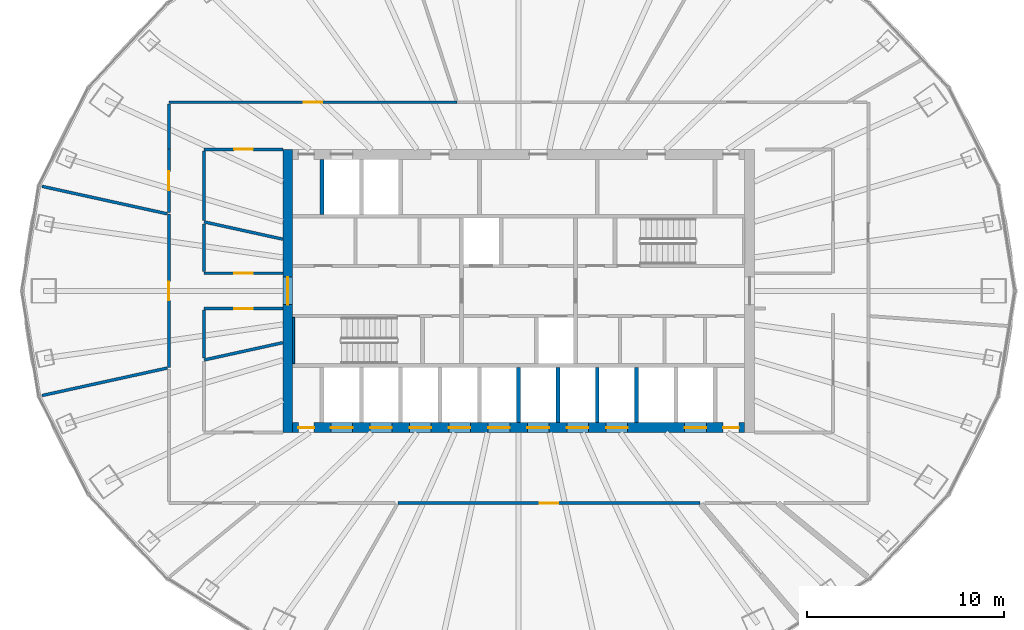
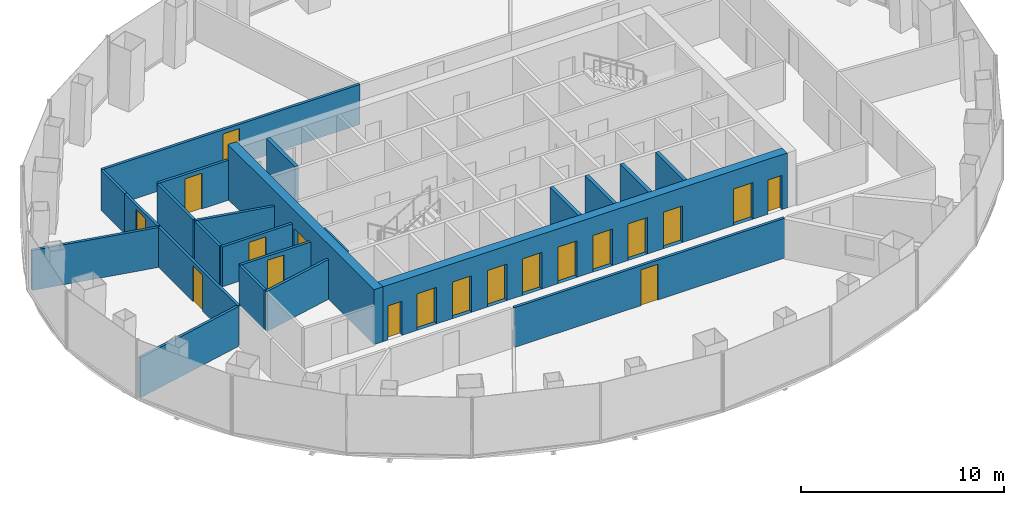
# One storey, part 8 of 11: 23 walls, 19 doors, 19 openings.
"""IFC4 building model written with IfcOpenShell, lengths in metres."""

import ifcopenshell
import ifcopenshell.guid

model = None  # the IFC model being written
_history = None  # IfcOwnerHistory: only IFC2X3 demands one
_inside = {}  # id of a spatial element -> (the spatial element, [elements in it])
_under = {}  # id of a project, library or spatial element -> (it, [spatial elements below it])
_declared = {}  # id of a project -> (the project, [libraries it declares])
_typed = {}  # id of a type object -> (the type object, [elements of that type])
_made_of = {}  # id of a material, layer set ... -> (it, [elements and type objects made of it])


def new_model(schema):
    """Start an empty IFC model of exactly this schema.

    Asked for "IFC4X3", IfcOpenShell would pick the latest addendum, in which some entities
    have other attributes; the version numbers below select the first issue.
    IFC2X3 requires an IfcOwnerHistory on every rooted entity: one is made here for all.
    """
    global model, _history
    if schema == "IFC4X3":
        model = ifcopenshell.file(schema_version=(4, 3, 0, 0))
    else:
        model = ifcopenshell.file(schema=schema)
    _inside.clear()
    _under.clear()
    _declared.clear()
    _typed.clear()
    _made_of.clear()
    _history = None
    if model.schema == "IFC2X3":
        org = make("IfcOrganization", Name="unknown")
        user = make(
            "IfcPersonAndOrganization",
            ThePerson=make("IfcPerson", FamilyName="unknown"),
            TheOrganization=org,
        )
        app = make(
            "IfcApplication",
            ApplicationDeveloper=org,
            Version="unknown",
            ApplicationFullName="unknown",
            ApplicationIdentifier="unknown",
        )
        _history = make(
            "IfcOwnerHistory",
            OwningUser=user,
            OwningApplication=app,
            ChangeAction="ADDED",
            CreationDate=0,
        )
    return model


def make(cls, **values):
    """One entity of the class cls with the attributes given. An attribute that is None is left unset."""
    return model.create_entity(
        cls, **{name: value for name, value in values.items() if value is not None}
    )


def rooted(cls, **values):
    """An entity with a GlobalId (a new one), such as an element, a storey or a relation."""
    return make(cls, GlobalId=ifcopenshell.guid.new(), OwnerHistory=_history, **values)


def si_unit(unit_type, name, prefix=None):
    """IfcSIUnit, for example si_unit("LENGTHUNIT", "METRE", prefix="MILLI")."""
    return make("IfcSIUnit", UnitType=unit_type, Prefix=prefix, Name=name)


def assignment(units):
    """IfcUnitAssignment: the units of a project."""
    return None if units is None else make("IfcUnitAssignment", Units=units)


def point(xyz):
    """IfcCartesianPoint."""
    return None if xyz is None else make("IfcCartesianPoint", Coordinates=xyz)


def direction(xyz):
    """IfcDirection."""
    return None if xyz is None else make("IfcDirection", DirectionRatios=xyz)


def frame(location, z_axis=None, x_axis=None):
    """IfcAxis2Placement3D, a coordinate frame: its origin and axes. An axis left out is left unset."""
    return make(
        "IfcAxis2Placement3D",
        Location=point(location),
        Axis=direction(z_axis),
        RefDirection=direction(x_axis),
    )


def frame_2d(location, x_axis=None):
    """IfcAxis2Placement2D, a coordinate frame in the plane: its origin and x axis."""
    return make(
        "IfcAxis2Placement2D", Location=point(location), RefDirection=direction(x_axis)
    )


def origin():
    """The frame at (0, 0, 0) with its axes left unset."""
    return frame((0.0, 0.0, 0.0))


def place(relative_to, where):
    """IfcLocalPlacement: puts the frame where relative to a parent placement (None: the world)."""
    return make(
        "IfcLocalPlacement", PlacementRelTo=relative_to, RelativePlacement=where
    )


def context(
    kind, dimensions, precision=None, world=None, true_north=None, identifier=None
):
    """IfcGeometricRepresentationContext, for example the 3D "Model" context."""
    return make(
        "IfcGeometricRepresentationContext",
        ContextIdentifier=identifier,
        ContextType=kind,
        CoordinateSpaceDimension=dimensions,
        Precision=precision,
        WorldCoordinateSystem=world,
        TrueNorth=true_north,
    )


def subcontext(parent, identifier, kind, view, scale=None):
    """IfcGeometricRepresentationSubContext, for example "Body" below "Model"."""
    return make(
        "IfcGeometricRepresentationSubContext",
        ContextIdentifier=identifier,
        ContextType=kind,
        ParentContext=parent,
        TargetScale=scale,
        TargetView=view,
    )


def project(units=None, contexts=None):
    """IfcProject with its units and contexts."""
    return rooted(
        "IfcProject",
        Name="project",
        RepresentationContexts=contexts,
        UnitsInContext=assignment(units),
    )


def spatial(cls, under=None, at=None, **own):
    """A site, building, storey or space (cls), placed at a placement, below another one or the project."""
    s = rooted(cls, ObjectPlacement=at, **own)
    if under is not None:
        _under.setdefault(under.id(), (under, []))[1].append(s)
    return s


def profile(cls, at=None, kind="AREA", **sizes):
    """A parametric profile (cls). Its sizes go by their IFC names, for example OverallWidth=200.0."""
    return make(cls, ProfileType=kind, Position=at, **sizes)


def rectangle(**sizes):
    """IfcRectangleProfileDef."""
    return profile("IfcRectangleProfileDef", **sizes)


def extrude(swept, where, along, depth):
    """IfcExtrudedAreaSolid: the profile swept, set in the frame where, extruded along a direction by depth."""
    return make(
        "IfcExtrudedAreaSolid",
        SweptArea=swept,
        Position=where,
        ExtrudedDirection=direction(along),
        Depth=depth,
    )


def shape(context_of_items, identifier, shape_type, items):
    """IfcShapeRepresentation: the items that make up one representation, for example the "Body"."""
    return make(
        "IfcShapeRepresentation",
        ContextOfItems=context_of_items,
        RepresentationIdentifier=identifier,
        RepresentationType=shape_type,
        Items=items,
    )


def material(Name=None, Category=None):
    """IfcMaterial."""
    return make("IfcMaterial", Name=Name, Category=Category)


def layer(
    of_material, thickness, ventilated=None, Name=None, Category=None, Priority=None
):
    """IfcMaterialLayer: one layer of a wall or slab, of a material (None: an air gap)."""
    return make(
        "IfcMaterialLayer",
        Material=of_material,
        LayerThickness=thickness,
        IsVentilated=ventilated,
        Name=Name,
        Category=Category,
        Priority=Priority,
    )


def layer_set(layers, Name=None):
    """IfcMaterialLayerSet."""
    return make("IfcMaterialLayerSet", MaterialLayers=layers, LayerSetName=Name)


def made_of(thing, what):
    """Note that an element or type object is made of a material, layer set ...; save() writes the relation."""
    if what is not None:
        _made_of.setdefault(what.id(), (what, []))[1].append(thing)
    return thing


def type_object(cls, material=None, **own):
    """A type object (cls), such as IfcWallType, which elements share."""
    return made_of(rooted(cls, **own), material)


def element(
    cls,
    number,
    at=None,
    inside=None,
    cuts=None,
    type_object=None,
    material=None,
    context=None,
    identifier="Body",
    shape_type=None,
    held_by="IfcProductDefinitionShape",
    body=None,
    shapes=None,
    **own,
):
    """One element of the class cls, such as IfcWall. Its Tag is "e" and its number.

    at: its placement. inside: the storey or other place that contains it. cuts: it is an
    opening in that element (IfcRelVoidsElement). A single representation is given by context,
    identifier, shape_type and body (its items); several are given by shapes. held_by: the class
    of the entity that holds the representations. save() writes the other relations.
    """
    e = rooted(cls, Tag="e%d" % number, ObjectPlacement=at, **own)
    if body is not None:
        shapes = [shape(context, identifier, shape_type, body)]
    if shapes is not None:
        e.Representation = make(held_by, Representations=shapes)
    if inside is not None:
        _inside.setdefault(inside.id(), (inside, []))[1].append(e)
    if cuts is not None:
        rooted(
            "IfcRelVoidsElement", RelatingBuildingElement=cuts, RelatedOpeningElement=e
        )
    if type_object is not None:
        _typed.setdefault(type_object.id(), (type_object, []))[1].append(e)
    return made_of(e, material)


def fill(opening, filler):
    """IfcRelFillsElement: the door or window that sits in an opening."""
    return rooted(
        "IfcRelFillsElement",
        RelatingOpeningElement=opening,
        RelatedBuildingElement=filler,
    )


def aggregate(whole, parts):
    """IfcRelAggregates: a whole, such as a stair, and the parts it consists of."""
    return rooted("IfcRelAggregates", RelatingObject=whole, RelatedObjects=parts)


def save(model, path):
    """Write the relations noted so far, then the file.

    IfcRelAggregates (storeys below a building ...), IfcRelContainedInSpatialStructure (elements
    in a storey), IfcRelDefinesByType, IfcRelAssociatesMaterial and IfcRelDeclares: one each for
    every whole, place, type object, material and project.
    """
    for whole, parts in _under.values():
        aggregate(whole, parts)
    for where, things in _inside.values():
        rooted(
            "IfcRelContainedInSpatialStructure",
            RelatedElements=things,
            RelatingStructure=where,
        )
    for kind, things in _typed.values():
        rooted("IfcRelDefinesByType", RelatedObjects=things, RelatingType=kind)
    for what, things in _made_of.values():
        rooted("IfcRelAssociatesMaterial", RelatedObjects=things, RelatingMaterial=what)
    for by, libraries in _declared.values():
        rooted("IfcRelDeclares", RelatingContext=by, RelatedDefinitions=libraries)
    model.write(path)


model = new_model("IFC4")

# Units and contexts
model_context = context("Model", 3, precision=1e-05, world=origin(), true_north=direction((0.0, 1.0)))
body_context = subcontext(model_context, "Body", "Model", "MODEL_VIEW")
ifc_project = project(units=[si_unit("LENGTHUNIT", "METRE"), si_unit("AREAUNIT", "SQUARE_METRE"), si_unit("VOLUMEUNIT", "CUBIC_METRE"), si_unit("PLANEANGLEUNIT", "RADIAN"), si_unit("MASSUNIT", "GRAM", prefix="KILO")], contexts=[model_context])

# Site, building, storey
site_placement = place(None, origin())
site = spatial("IfcSite", under=ifc_project, at=site_placement, CompositionType="ELEMENT")
building_placement = place(site_placement, origin())
building = spatial("IfcBuilding", under=site, at=building_placement, Name="Siaravel Broadcast Tower", CompositionType="ELEMENT")
storey_placement = place(building_placement, frame((0.0, 0.0, 123.0)))
storey = spatial("IfcBuildingStorey", under=building, at=storey_placement, Name="L29", CompositionType="ELEMENT", Elevation=123.0)

# Wall, opening, door
ifc_material_1 = material(Name="Concrete C60/75", Category="concrete")
ifc_layer_1 = layer(ifc_material_1, 0.5)
ifc_layer_set_1 = layer_set([ifc_layer_1], Name="Concrete C60/75")
wall_type_1 = type_object("IfcWallType", Name="Core wall 500", PredefinedType="SHEAR", material=ifc_layer_set_1)
wall_1_placement = place(storey_placement, frame((-11.75, -7.199951171875, 0.0), z_axis=(0.0, 0.0, 1.0), x_axis=(0.0, 1.0, 0.0)))
wall_1 = element("IfcWall", 1, at=wall_1_placement, inside=storey, type_object=wall_type_1, Name="L29 core wall OW", PredefinedType="SHEAR", context=body_context, shape_type="SweptSolid", body=[
    extrude(rectangle(XDim=14.39990234375, YDim=0.5, at=frame_2d((7.199951171875, 0.0))), origin(), (0.0, 0.0, 1.0), 3.300048828125),
])
opening_1_placement = place(wall_1_placement, frame((6.5, 0.0, 0.0)))
opening_1 = element("IfcOpeningElement", 2, at=opening_1_placement, cuts=wall_1, Name="Opening L29-DX-W", PredefinedType="OPENING", context=body_context, shape_type="SweptSolid", body=[
    extrude(rectangle(XDim=1.39990234375, YDim=2.199951171875, at=frame_2d((0.699951171875, 1.10009765625))), frame((0.0, 0.260009765625, 0.0), z_axis=(0.0, -1.0, 0.0), x_axis=(1.0, 0.0, 0.0)), (0.0, 0.0, 1.0), 0.52001953125),
])
ifc_material_2 = material(Name="Steel", Category="steel")
door_type_1 = type_object("IfcDoorType", Name="Core exit door 1400", OperationType="DOUBLE_DOOR_SINGLE_SWING", PredefinedType="DOOR", material=ifc_material_2)
door_1_placement = place(opening_1_placement, origin())
door_1 = element("IfcDoor", 3, at=door_1_placement, inside=storey, type_object=door_type_1, Name="L29 door DX-W", OperationType="DOUBLE_DOOR_SINGLE_SWING", OverallHeight=2.199951171875, OverallWidth=1.39990234375, PredefinedType="DOOR", context=body_context, shape_type="SweptSolid", body=[
    extrude(rectangle(XDim=1.39990234375, YDim=2.199951171875, at=frame_2d((0.699951171875, 1.10009765625))), frame((0.0, 0.02490234375, 0.0), z_axis=(0.0, -1.0, 0.0), x_axis=(1.0, 0.0, 0.0)), (0.0, 0.0, 1.0), 0.050048828125),
])
fill(opening_1, door_1)

# Wall, openings, doors
wall_2_placement = place(storey_placement, frame((-11.5, -6.949951171875, 0.0), z_axis=(0.0, 0.0, 1.0), x_axis=(1.0, 0.0, 0.0)))
wall_2 = element("IfcWall", 4, at=wall_2_placement, inside=storey, type_object=wall_type_1, Name="L29 core wall OS", PredefinedType="SHEAR", context=body_context, shape_type="SweptSolid", body=[
    extrude(rectangle(XDim=23.0, YDim=0.5, at=frame_2d((11.5, 0.0))), origin(), (0.0, 0.0, 1.0), 3.300048828125),
])
opening_2_placement = place(wall_2_placement, frame((1.949951171875, 0.0, 0.0)))
opening_2 = element("IfcOpeningElement", 5, at=opening_2_placement, cuts=wall_2, Name="Opening LD-LP1-L29", PredefinedType="OPENING", context=body_context, shape_type="SweptSolid", body=[
    extrude(rectangle(XDim=1.10009765625, YDim=2.199951171875, at=frame_2d((0.550048828125, 1.10009765625))), frame((0.0, 0.260009765625, 0.0), z_axis=(0.0, -1.0, 0.0), x_axis=(1.0, 0.0, 0.0)), (0.0, 0.0, 1.0), 0.52001953125),
])
opening_3_placement = place(wall_2_placement, frame((3.949951171875, 0.0, 0.0)))
opening_3 = element("IfcOpeningElement", 6, at=opening_3_placement, cuts=wall_2, Name="Opening LD-LP2-L29", PredefinedType="OPENING", context=body_context, shape_type="SweptSolid", body=[
    extrude(rectangle(XDim=1.10009765625, YDim=2.199951171875, at=frame_2d((0.550048828125, 1.10009765625))), frame((0.0, 0.260009765625, 0.0), z_axis=(0.0, -1.0, 0.0), x_axis=(1.0, 0.0, 0.0)), (0.0, 0.0, 1.0), 0.52001953125),
])
opening_4_placement = place(wall_2_placement, frame((5.949951171875, 0.0, 0.0)))
opening_4 = element("IfcOpeningElement", 7, at=opening_4_placement, cuts=wall_2, Name="Opening LD-LP3-L29", PredefinedType="OPENING", context=body_context, shape_type="SweptSolid", body=[
    extrude(rectangle(XDim=1.10009765625, YDim=2.199951171875, at=frame_2d((0.550048828125, 1.10009765625))), frame((0.0, 0.260009765625, 0.0), z_axis=(0.0, -1.0, 0.0), x_axis=(1.0, 0.0, 0.0)), (0.0, 0.0, 1.0), 0.52001953125),
])
opening_5_placement = place(wall_2_placement, frame((7.949951171875, 0.0, 0.0)))
opening_5 = element("IfcOpeningElement", 8, at=opening_5_placement, cuts=wall_2, Name="Opening LD-LP4-L29", PredefinedType="OPENING", context=body_context, shape_type="SweptSolid", body=[
    extrude(rectangle(XDim=1.10009765625, YDim=2.199951171875, at=frame_2d((0.550048828125, 1.10009765625))), frame((0.0, 0.260009765625, 0.0), z_axis=(0.0, -1.0, 0.0), x_axis=(1.0, 0.0, 0.0)), (0.0, 0.0, 1.0), 0.52001953125),
])
opening_6_placement = place(wall_2_placement, frame((9.949951171875, 0.0, 0.0)))
opening_6 = element("IfcOpeningElement", 9, at=opening_6_placement, cuts=wall_2, Name="Opening LD-LP5-L29", PredefinedType="OPENING", context=body_context, shape_type="SweptSolid", body=[
    extrude(rectangle(XDim=1.10009765625, YDim=2.199951171875, at=frame_2d((0.550048828125, 1.10009765625))), frame((0.0, 0.260009765625, 0.0), z_axis=(0.0, -1.0, 0.0), x_axis=(1.0, 0.0, 0.0)), (0.0, 0.0, 1.0), 0.52001953125),
])
opening_7_placement = place(wall_2_placement, frame((11.949951171875, 0.0, 0.0)))
opening_7 = element("IfcOpeningElement", 10, at=opening_7_placement, cuts=wall_2, Name="Opening LD-LP6-L29", PredefinedType="OPENING", context=body_context, shape_type="SweptSolid", body=[
    extrude(rectangle(XDim=1.10009765625, YDim=2.199951171875, at=frame_2d((0.550048828125, 1.10009765625))), frame((0.0, 0.260009765625, 0.0), z_axis=(0.0, -1.0, 0.0), x_axis=(1.0, 0.0, 0.0)), (0.0, 0.0, 1.0), 0.52001953125),
])
opening_8_placement = place(wall_2_placement, frame((13.949951171875, 0.0, 0.0)))
opening_8 = element("IfcOpeningElement", 11, at=opening_8_placement, cuts=wall_2, Name="Opening LD-LP7-L29", PredefinedType="OPENING", context=body_context, shape_type="SweptSolid", body=[
    extrude(rectangle(XDim=1.10009765625, YDim=2.199951171875, at=frame_2d((0.550048828125, 1.10009765625))), frame((0.0, 0.260009765625, 0.0), z_axis=(0.0, -1.0, 0.0), x_axis=(1.0, 0.0, 0.0)), (0.0, 0.0, 1.0), 0.52001953125),
])
opening_9_placement = place(wall_2_placement, frame((15.949951171875, 0.0, 0.0)))
opening_9 = element("IfcOpeningElement", 12, at=opening_9_placement, cuts=wall_2, Name="Opening LD-LP8-L29", PredefinedType="OPENING", context=body_context, shape_type="SweptSolid", body=[
    extrude(rectangle(XDim=1.10009765625, YDim=2.199951171875, at=frame_2d((0.550048828125, 1.10009765625))), frame((0.0, 0.260009765625, 0.0), z_axis=(0.0, -1.0, 0.0), x_axis=(1.0, 0.0, 0.0)), (0.0, 0.0, 1.0), 0.52001953125),
])
opening_10_placement = place(wall_2_placement, frame((19.949951171875, 0.0, 0.0)))
opening_10 = element("IfcOpeningElement", 13, at=opening_10_placement, cuts=wall_2, Name="Opening LD-SV1-L29", PredefinedType="OPENING", context=body_context, shape_type="SweptSolid", body=[
    extrude(rectangle(XDim=1.10009765625, YDim=2.199951171875, at=frame_2d((0.550048828125, 1.10009765625))), frame((0.0, 0.260009765625, 0.0), z_axis=(0.0, -1.0, 0.0), x_axis=(1.0, 0.0, 0.0)), (0.0, 0.0, 1.0), 0.52001953125),
])
opening_11_placement = place(wall_2_placement, frame((0.300048828125, 0.0, 0.0)))
opening_11 = element("IfcOpeningElement", 14, at=opening_11_placement, cuts=wall_2, Name="Opening L29-DRSW", PredefinedType="OPENING", context=body_context, shape_type="SweptSolid", body=[
    extrude(rectangle(XDim=0.800048828125, YDim=2.050048828125, at=frame_2d((0.39990234375, 1.02490234375))), frame((0.0, 0.260009765625, 0.0), z_axis=(0.0, -1.0, 0.0), x_axis=(1.0, 0.0, 0.0)), (0.0, 0.0, 1.0), 0.52001953125),
])
opening_12_placement = place(wall_2_placement, frame((21.89990234375, 0.0, 0.0)))
opening_12 = element("IfcOpeningElement", 15, at=opening_12_placement, cuts=wall_2, Name="Opening L29-DRSE", PredefinedType="OPENING", context=body_context, shape_type="SweptSolid", body=[
    extrude(rectangle(XDim=0.800048828125, YDim=2.050048828125, at=frame_2d((0.39990234375, 1.02490234375))), frame((0.0, 0.260009765625, 0.0), z_axis=(0.0, -1.0, 0.0), x_axis=(1.0, 0.0, 0.0)), (0.0, 0.0, 1.0), 0.52001953125),
])
ifc_material_3 = material(Name="Stainless steel 316L", Category="steel")
door_type_2 = type_object("IfcDoorType", Name="Lift landing door 1100", OperationType="DOUBLE_DOOR_SLIDING", PredefinedType="DOOR", material=ifc_material_3)
door_2_placement = place(opening_2_placement, origin())
door_2 = element("IfcDoor", 16, at=door_2_placement, inside=storey, type_object=door_type_2, Name="Landing door LP1 L29", OperationType="DOUBLE_DOOR_SLIDING", OverallHeight=2.199951171875, OverallWidth=1.10009765625, PredefinedType="DOOR", context=body_context, shape_type="SweptSolid", body=[
    extrude(rectangle(XDim=1.10009765625, YDim=2.199951171875, at=frame_2d((0.550048828125, 1.10009765625))), frame((0.0, 0.02490234375, 0.0), z_axis=(0.0, -1.0, 0.0), x_axis=(1.0, 0.0, 0.0)), (0.0, 0.0, 1.0), 0.050048828125),
])
fill(opening_2, door_2)
door_3_placement = place(opening_3_placement, origin())
door_3 = element("IfcDoor", 17, at=door_3_placement, inside=storey, type_object=door_type_2, Name="Landing door LP2 L29", OperationType="DOUBLE_DOOR_SLIDING", OverallHeight=2.199951171875, OverallWidth=1.10009765625, PredefinedType="DOOR", context=body_context, shape_type="SweptSolid", body=[
    extrude(rectangle(XDim=1.10009765625, YDim=2.199951171875, at=frame_2d((0.550048828125, 1.10009765625))), frame((0.0, 0.02490234375, 0.0), z_axis=(0.0, -1.0, 0.0), x_axis=(1.0, 0.0, 0.0)), (0.0, 0.0, 1.0), 0.050048828125),
])
fill(opening_3, door_3)
door_4_placement = place(opening_4_placement, origin())
door_4 = element("IfcDoor", 18, at=door_4_placement, inside=storey, type_object=door_type_2, Name="Landing door LP3 L29", OperationType="DOUBLE_DOOR_SLIDING", OverallHeight=2.199951171875, OverallWidth=1.10009765625, PredefinedType="DOOR", context=body_context, shape_type="SweptSolid", body=[
    extrude(rectangle(XDim=1.10009765625, YDim=2.199951171875, at=frame_2d((0.550048828125, 1.10009765625))), frame((0.0, 0.02490234375, 0.0), z_axis=(0.0, -1.0, 0.0), x_axis=(1.0, 0.0, 0.0)), (0.0, 0.0, 1.0), 0.050048828125),
])
fill(opening_4, door_4)
door_5_placement = place(opening_5_placement, origin())
door_5 = element("IfcDoor", 19, at=door_5_placement, inside=storey, type_object=door_type_2, Name="Landing door LP4 L29", OperationType="DOUBLE_DOOR_SLIDING", OverallHeight=2.199951171875, OverallWidth=1.10009765625, PredefinedType="DOOR", context=body_context, shape_type="SweptSolid", body=[
    extrude(rectangle(XDim=1.10009765625, YDim=2.199951171875, at=frame_2d((0.550048828125, 1.10009765625))), frame((0.0, 0.02490234375, 0.0), z_axis=(0.0, -1.0, 0.0), x_axis=(1.0, 0.0, 0.0)), (0.0, 0.0, 1.0), 0.050048828125),
])
fill(opening_5, door_5)
door_6_placement = place(opening_6_placement, origin())
door_6 = element("IfcDoor", 20, at=door_6_placement, inside=storey, type_object=door_type_2, Name="Landing door LP5 L29", OperationType="DOUBLE_DOOR_SLIDING", OverallHeight=2.199951171875, OverallWidth=1.10009765625, PredefinedType="DOOR", context=body_context, shape_type="SweptSolid", body=[
    extrude(rectangle(XDim=1.10009765625, YDim=2.199951171875, at=frame_2d((0.550048828125, 1.10009765625))), frame((0.0, 0.02490234375, 0.0), z_axis=(0.0, -1.0, 0.0), x_axis=(1.0, 0.0, 0.0)), (0.0, 0.0, 1.0), 0.050048828125),
])
fill(opening_6, door_6)
door_7_placement = place(opening_7_placement, origin())
door_7 = element("IfcDoor", 21, at=door_7_placement, inside=storey, type_object=door_type_2, Name="Landing door LP6 L29", OperationType="DOUBLE_DOOR_SLIDING", OverallHeight=2.199951171875, OverallWidth=1.10009765625, PredefinedType="DOOR", context=body_context, shape_type="SweptSolid", body=[
    extrude(rectangle(XDim=1.10009765625, YDim=2.199951171875, at=frame_2d((0.550048828125, 1.10009765625))), frame((0.0, 0.02490234375, 0.0), z_axis=(0.0, -1.0, 0.0), x_axis=(1.0, 0.0, 0.0)), (0.0, 0.0, 1.0), 0.050048828125),
])
fill(opening_7, door_7)
door_8_placement = place(opening_8_placement, origin())
door_8 = element("IfcDoor", 22, at=door_8_placement, inside=storey, type_object=door_type_2, Name="Landing door LP7 L29", OperationType="DOUBLE_DOOR_SLIDING", OverallHeight=2.199951171875, OverallWidth=1.10009765625, PredefinedType="DOOR", context=body_context, shape_type="SweptSolid", body=[
    extrude(rectangle(XDim=1.10009765625, YDim=2.199951171875, at=frame_2d((0.550048828125, 1.10009765625))), frame((0.0, 0.02490234375, 0.0), z_axis=(0.0, -1.0, 0.0), x_axis=(1.0, 0.0, 0.0)), (0.0, 0.0, 1.0), 0.050048828125),
])
fill(opening_8, door_8)
door_9_placement = place(opening_9_placement, origin())
door_9 = element("IfcDoor", 23, at=door_9_placement, inside=storey, type_object=door_type_2, Name="Landing door LP8 L29", OperationType="DOUBLE_DOOR_SLIDING", OverallHeight=2.199951171875, OverallWidth=1.10009765625, PredefinedType="DOOR", context=body_context, shape_type="SweptSolid", body=[
    extrude(rectangle(XDim=1.10009765625, YDim=2.199951171875, at=frame_2d((0.550048828125, 1.10009765625))), frame((0.0, 0.02490234375, 0.0), z_axis=(0.0, -1.0, 0.0), x_axis=(1.0, 0.0, 0.0)), (0.0, 0.0, 1.0), 0.050048828125),
])
fill(opening_9, door_9)
door_type_3 = type_object("IfcDoorType", Name="Riser door 800", OperationType="SINGLE_SWING_LEFT", PredefinedType="DOOR", material=ifc_material_2)
door_10_placement = place(opening_11_placement, origin())
door_10 = element("IfcDoor", 24, at=door_10_placement, inside=storey, type_object=door_type_3, Name="L29 door DRSW", OperationType="SINGLE_SWING_LEFT", OverallHeight=2.050048828125, OverallWidth=0.800048828125, PredefinedType="DOOR", context=body_context, shape_type="SweptSolid", body=[
    extrude(rectangle(XDim=0.800048828125, YDim=2.050048828125, at=frame_2d((0.39990234375, 1.02490234375))), frame((0.0, 0.02490234375, 0.0), z_axis=(0.0, -1.0, 0.0), x_axis=(1.0, 0.0, 0.0)), (0.0, 0.0, 1.0), 0.050048828125),
])
fill(opening_11, door_10)
door_11_placement = place(opening_12_placement, origin())
door_11 = element("IfcDoor", 25, at=door_11_placement, inside=storey, type_object=door_type_3, Name="L29 door DRSE", OperationType="SINGLE_SWING_LEFT", OverallHeight=2.050048828125, OverallWidth=0.800048828125, PredefinedType="DOOR", context=body_context, shape_type="SweptSolid", body=[
    extrude(rectangle(XDim=0.800048828125, YDim=2.050048828125, at=frame_2d((0.39990234375, 1.02490234375))), frame((0.0, 0.02490234375, 0.0), z_axis=(0.0, -1.0, 0.0), x_axis=(1.0, 0.0, 0.0)), (0.0, 0.0, 1.0), 0.050048828125),
])
fill(opening_12, door_11)
door_type_4 = type_object("IfcDoorType", Name="Service lift landing door 1100", OperationType="DOUBLE_DOOR_SLIDING", PredefinedType="DOOR", material=ifc_material_3)
door_12_placement = place(opening_10_placement, origin())
door_12 = element("IfcDoor", 26, at=door_12_placement, inside=storey, type_object=door_type_4, Name="Landing door SV1 L29", OperationType="DOUBLE_DOOR_SLIDING", OverallHeight=2.199951171875, OverallWidth=1.10009765625, PredefinedType="DOOR", context=body_context, shape_type="SweptSolid", body=[
    extrude(rectangle(XDim=1.10009765625, YDim=2.199951171875, at=frame_2d((0.550048828125, 1.10009765625))), frame((0.0, 0.02490234375, 0.0), z_axis=(0.0, -1.0, 0.0), x_axis=(1.0, 0.0, 0.0)), (0.0, 0.0, 1.0), 0.050048828125),
])
fill(opening_10, door_12)

# Wall, opening, door
ifc_material_4 = material(Name="Gypsum board partition", Category="gypsum")
ifc_layer_2 = layer(ifc_material_4, 0.14990234375)
ifc_layer_set_2 = layer_set([ifc_layer_2], Name="Gypsum board partition")
wall_type_2 = type_object("IfcWallType", Name="Corridor wall 150", PredefinedType="PARTITIONING", material=ifc_layer_set_2)
wall_3_placement = place(storey_placement, frame((-6.148193359375, -10.800048828125, 0.0), z_axis=(0.0, 0.0, 1.0), x_axis=(1.0, 0.0, 0.0)))
wall_3 = element("IfcWall", 27, at=wall_3_placement, inside=storey, type_object=wall_type_2, Name="L29 partition 1", PredefinedType="PARTITIONING", context=body_context, shape_type="SweptSolid", body=[
    extrude(rectangle(XDim=15.38037109375, YDim=0.14990234375, at=frame_2d((7.690185546875, 0.0))), origin(), (0.0, 0.0, 1.0), 2.39990234375),
])
opening_13_placement = place(wall_3_placement, frame((7.215087890625, 0.0, 0.0)))
opening_13 = element("IfcOpeningElement", 28, at=opening_13_placement, cuts=wall_3, Name="Opening L29-016", PredefinedType="OPENING", context=body_context, shape_type="SweptSolid", body=[
    extrude(rectangle(XDim=0.949951171875, YDim=2.14990234375, at=frame_2d((0.47509765625, 1.074951171875))), frame((0.0, 0.0849609375, 0.0), z_axis=(0.0, -1.0, 0.0), x_axis=(1.0, 0.0, 0.0)), (0.0, 0.0, 1.0), 0.169921875),
])
ifc_material_5 = material(Name="Timber veneer", Category="wood")
door_type_5 = type_object("IfcDoorType", Name="Office door 950", OperationType="SINGLE_SWING_LEFT", PredefinedType="DOOR", material=ifc_material_5)
door_13_placement = place(opening_13_placement, origin())
door_13 = element("IfcDoor", 29, at=door_13_placement, inside=storey, type_object=door_type_5, Name="L29 door to Design studio", OperationType="SINGLE_SWING_RIGHT", OverallHeight=2.14990234375, OverallWidth=0.949951171875, PredefinedType="DOOR", context=body_context, shape_type="SweptSolid", body=[
    extrude(rectangle(XDim=0.949951171875, YDim=2.14990234375, at=frame_2d((0.47509765625, 1.074951171875))), frame((0.0, 0.02490234375, 0.0), z_axis=(0.0, -1.0, 0.0), x_axis=(1.0, 0.0, 0.0)), (0.0, 0.0, 1.0), 0.050048828125),
])
fill(opening_13, door_13)

wall_4_placement = place(storey_placement, frame((-3.140380859375, 9.60009765625, 0.0), z_axis=(0.0, 0.0, 1.0), x_axis=(-1.0, 0.0, 0.0)))
wall_4 = element("IfcWall", 30, at=wall_4_placement, inside=storey, type_object=wall_type_2, Name="L29 partition 2", PredefinedType="PARTITIONING", context=body_context, shape_type="SweptSolid", body=[
    extrude(rectangle(XDim=14.65966796875, YDim=0.14990234375, at=frame_2d((7.329833984375, 0.0))), origin(), (0.0, 0.0, 1.0), 2.39990234375),
])
opening_14_placement = place(wall_4_placement, frame((6.854736328125, 0.0, 0.0)))
opening_14 = element("IfcOpeningElement", 31, at=opening_14_placement, cuts=wall_4, Name="Opening L29-008", PredefinedType="OPENING", context=body_context, shape_type="SweptSolid", body=[
    extrude(rectangle(XDim=0.949951171875, YDim=2.14990234375, at=frame_2d((0.47509765625, 1.074951171875))), frame((0.0, 0.0849609375, 0.0), z_axis=(0.0, -1.0, 0.0), x_axis=(1.0, 0.0, 0.0)), (0.0, 0.0, 1.0), 0.169921875),
])
door_14_placement = place(opening_14_placement, origin())
door_14 = element("IfcDoor", 32, at=door_14_placement, inside=storey, type_object=door_type_5, Name="L29 door to Design studio", OperationType="SINGLE_SWING_RIGHT", OverallHeight=2.14990234375, OverallWidth=0.949951171875, PredefinedType="DOOR", context=body_context, shape_type="SweptSolid", body=[
    extrude(rectangle(XDim=0.949951171875, YDim=2.14990234375, at=frame_2d((0.47509765625, 1.074951171875))), frame((0.0, 0.02490234375, 0.0), z_axis=(0.0, -1.0, 0.0), x_axis=(1.0, 0.0, 0.0)), (0.0, 0.0, 1.0), 0.050048828125),
])
fill(opening_14, door_14)

wall_5_placement = place(storey_placement, frame((-17.800048828125, 3.90673828125, 0.0), z_axis=(0.0, 0.0, 1.0), x_axis=(0.0, -1.0, 0.0)))
wall_5 = element("IfcWall", 33, at=wall_5_placement, inside=storey, type_object=wall_type_2, Name="L29 partition 10", PredefinedType="PARTITIONING", context=body_context, shape_type="SweptSolid", body=[
    extrude(rectangle(XDim=7.8134765625, YDim=0.14990234375, at=frame_2d((3.90673828125, 0.0))), origin(), (0.0, 0.0, 1.0), 2.39990234375),
])
opening_15_placement = place(wall_5_placement, frame((3.431640625, 0.0, 0.0)))
opening_15 = element("IfcOpeningElement", 34, at=opening_15_placement, cuts=wall_5, Name="Opening L29-010", PredefinedType="OPENING", context=body_context, shape_type="SweptSolid", body=[
    extrude(rectangle(XDim=0.949951171875, YDim=2.14990234375, at=frame_2d((0.47509765625, 1.074951171875))), frame((0.0, 0.0849609375, 0.0), z_axis=(0.0, -1.0, 0.0), x_axis=(1.0, 0.0, 0.0)), (0.0, 0.0, 1.0), 0.169921875),
])
door_15_placement = place(opening_15_placement, origin())
door_15 = element("IfcDoor", 35, at=door_15_placement, inside=storey, type_object=door_type_5, Name="L29 door to Design studio", OperationType="SINGLE_SWING_RIGHT", OverallHeight=2.14990234375, OverallWidth=0.949951171875, PredefinedType="DOOR", context=body_context, shape_type="SweptSolid", body=[
    extrude(rectangle(XDim=0.949951171875, YDim=2.14990234375, at=frame_2d((0.47509765625, 1.074951171875))), frame((0.0, 0.02490234375, 0.0), z_axis=(0.0, -1.0, 0.0), x_axis=(1.0, 0.0, 0.0)), (0.0, 0.0, 1.0), 0.050048828125),
])
fill(opening_15, door_15)

wall_6_placement = place(storey_placement, frame((-16.0, -0.89990234375, 0.0), z_axis=(0.0, 0.0, 1.0), x_axis=(1.0, 0.0, 0.0)))
wall_6 = element("IfcWall", 36, at=wall_6_placement, inside=storey, type_object=wall_type_2, Name="L29 partition 25", PredefinedType="PARTITIONING", context=body_context, shape_type="SweptSolid", body=[
    extrude(rectangle(XDim=4.0, YDim=0.14990234375, at=frame_2d((2.0, 0.0))), origin(), (0.0, 0.0, 1.0), 2.39990234375),
])
opening_16_placement = place(wall_6_placement, frame((1.52490234375, 0.0, 0.0)))
opening_16 = element("IfcOpeningElement", 37, at=opening_16_placement, cuts=wall_6, Name="Opening L29-011", PredefinedType="OPENING", context=body_context, shape_type="SweptSolid", body=[
    extrude(rectangle(XDim=0.949951171875, YDim=2.14990234375, at=frame_2d((0.47509765625, 1.074951171875))), frame((0.0, 0.0849609375, 0.0), z_axis=(0.0, -1.0, 0.0), x_axis=(1.0, 0.0, 0.0)), (0.0, 0.0, 1.0), 0.169921875),
])
door_16_placement = place(opening_16_placement, origin())
door_16 = element("IfcDoor", 38, at=door_16_placement, inside=storey, type_object=door_type_5, Name="L29 door to Design studio", OperationType="SINGLE_SWING_LEFT", OverallHeight=2.14990234375, OverallWidth=0.949951171875, PredefinedType="DOOR", context=body_context, shape_type="SweptSolid", body=[
    extrude(rectangle(XDim=0.949951171875, YDim=2.14990234375, at=frame_2d((0.47509765625, 1.074951171875))), frame((0.0, 0.02490234375, 0.0), z_axis=(0.0, -1.0, 0.0), x_axis=(1.0, 0.0, 0.0)), (0.0, 0.0, 1.0), 0.050048828125),
])
fill(opening_16, door_16)

wall_7_placement = place(storey_placement, frame((-16.0, 7.199951171875, 0.0), z_axis=(0.0, 0.0, 1.0), x_axis=(1.0, 0.0, 0.0)))
wall_7 = element("IfcWall", 39, at=wall_7_placement, inside=storey, type_object=wall_type_2, Name="L29 partition 26", PredefinedType="PARTITIONING", context=body_context, shape_type="SweptSolid", body=[
    extrude(rectangle(XDim=4.0, YDim=0.14990234375, at=frame_2d((2.0, 0.0))), origin(), (0.0, 0.0, 1.0), 2.39990234375),
])
opening_17_placement = place(wall_7_placement, frame((1.52490234375, 0.0, 0.0)))
opening_17 = element("IfcOpeningElement", 40, at=opening_17_placement, cuts=wall_7, Name="Opening L29-007", PredefinedType="OPENING", context=body_context, shape_type="SweptSolid", body=[
    extrude(rectangle(XDim=0.949951171875, YDim=2.14990234375, at=frame_2d((0.47509765625, 1.074951171875))), frame((0.0, 0.0849609375, 0.0), z_axis=(0.0, -1.0, 0.0), x_axis=(1.0, 0.0, 0.0)), (0.0, 0.0, 1.0), 0.169921875),
])
door_17_placement = place(opening_17_placement, origin())
door_17 = element("IfcDoor", 41, at=door_17_placement, inside=storey, type_object=door_type_5, Name="L29 door to Design studio", OperationType="SINGLE_SWING_LEFT", OverallHeight=2.14990234375, OverallWidth=0.949951171875, PredefinedType="DOOR", context=body_context, shape_type="SweptSolid", body=[
    extrude(rectangle(XDim=0.949951171875, YDim=2.14990234375, at=frame_2d((0.47509765625, 1.074951171875))), frame((0.0, 0.02490234375, 0.0), z_axis=(0.0, -1.0, 0.0), x_axis=(1.0, 0.0, 0.0)), (0.0, 0.0, 1.0), 0.050048828125),
])
fill(opening_17, door_17)

wall_8_placement = place(storey_placement, frame((-12.0, 0.89990234375, 0.0), z_axis=(0.0, 0.0, 1.0), x_axis=(-1.0, 0.0, 0.0)))
wall_8 = element("IfcWall", 42, at=wall_8_placement, inside=storey, type_object=wall_type_2, Name="L29 partition 28", PredefinedType="PARTITIONING", context=body_context, shape_type="SweptSolid", body=[
    extrude(rectangle(XDim=4.0, YDim=0.14990234375, at=frame_2d((2.0, 0.0))), origin(), (0.0, 0.0, 1.0), 2.39990234375),
])
opening_18_placement = place(wall_8_placement, frame((1.52490234375, 0.0, 0.0)))
opening_18 = element("IfcOpeningElement", 43, at=opening_18_placement, cuts=wall_8, Name="Opening L29-012", PredefinedType="OPENING", context=body_context, shape_type="SweptSolid", body=[
    extrude(rectangle(XDim=0.949951171875, YDim=2.14990234375, at=frame_2d((0.47509765625, 1.074951171875))), frame((0.0, 0.0849609375, 0.0), z_axis=(0.0, -1.0, 0.0), x_axis=(1.0, 0.0, 0.0)), (0.0, 0.0, 1.0), 0.169921875),
])
door_18_placement = place(opening_18_placement, origin())
door_18 = element("IfcDoor", 44, at=door_18_placement, inside=storey, type_object=door_type_5, Name="L29 door to Design studio", OperationType="SINGLE_SWING_RIGHT", OverallHeight=2.14990234375, OverallWidth=0.949951171875, PredefinedType="DOOR", context=body_context, shape_type="SweptSolid", body=[
    extrude(rectangle(XDim=0.949951171875, YDim=2.14990234375, at=frame_2d((0.47509765625, 1.074951171875))), frame((0.0, 0.02490234375, 0.0), z_axis=(0.0, -1.0, 0.0), x_axis=(1.0, 0.0, 0.0)), (0.0, 0.0, 1.0), 0.050048828125),
])
fill(opening_18, door_18)

# Wall
wall_9_placement = place(storey_placement, frame((-16.0, 3.5869140625, 0.0), z_axis=(0.0, 0.0, 1.0), x_axis=(0.0, 1.0, 0.0)))
element("IfcWall", 45, at=wall_9_placement, inside=storey, type_object=wall_type_2, Name="L29 partition 33", PredefinedType="PARTITIONING", context=body_context, shape_type="SweptSolid", body=[
    extrude(rectangle(XDim=3.5361328125, YDim=0.14990234375, at=frame_2d((1.76806640625, 0.0))), origin(), (0.0, 0.0, 1.0), 2.39990234375),
])

# Wall, opening, door
wall_10_placement = place(storey_placement, frame((-17.800048828125, 7.2119140625, 0.0), z_axis=(0.0, 0.0, 1.0), x_axis=(0.0, -1.0, 0.0)))
wall_10 = element("IfcWall", 46, at=wall_10_placement, inside=storey, type_object=wall_type_2, Name="L29 partition 38", PredefinedType="PARTITIONING", context=body_context, shape_type="SweptSolid", body=[
    extrude(rectangle(XDim=3.2099609375, YDim=0.14990234375, at=frame_2d((1.60498046875, 0.0))), origin(), (0.0, 0.0, 1.0), 2.39990234375),
])
opening_19_placement = place(wall_10_placement, frame((1.1298828125, 0.0, 0.0)))
opening_19 = element("IfcOpeningElement", 47, at=opening_19_placement, cuts=wall_10, Name="Opening L29-009", PredefinedType="OPENING", context=body_context, shape_type="SweptSolid", body=[
    extrude(rectangle(XDim=0.949951171875, YDim=2.14990234375, at=frame_2d((0.47509765625, 1.074951171875))), frame((0.0, 0.0849609375, 0.0), z_axis=(0.0, -1.0, 0.0), x_axis=(1.0, 0.0, 0.0)), (0.0, 0.0, 1.0), 0.169921875),
])
door_19_placement = place(opening_19_placement, origin())
door_19 = element("IfcDoor", 48, at=door_19_placement, inside=storey, type_object=door_type_5, Name="L29 door to Design studio", OperationType="SINGLE_SWING_LEFT", OverallHeight=2.14990234375, OverallWidth=0.949951171875, PredefinedType="DOOR", context=body_context, shape_type="SweptSolid", body=[
    extrude(rectangle(XDim=0.949951171875, YDim=2.14990234375, at=frame_2d((0.47509765625, 1.074951171875))), frame((0.0, 0.02490234375, 0.0), z_axis=(0.0, -1.0, 0.0), x_axis=(1.0, 0.0, 0.0)), (0.0, 0.0, 1.0), 0.050048828125),
])
fill(opening_19, door_19)

# Walls
for number, where, z_axis, x_axis, name in (
    (49, (-16.0, -3.41650390625, 0.0), (0.0, 0.0, 1.0), (0.0, 1.0, 0.0), "L29 partition 39"),
    (50, (-16.0, 0.97705078125, 0.0), (0.0, 0.0, 1.0), (0.0, 1.0, 0.0), "L29 partition 40"),
):
    element("IfcWall", number, at=place(storey_placement, frame(where, z_axis=z_axis, x_axis=x_axis)), inside=storey, type_object=wall_type_2, Name=name, PredefinedType="PARTITIONING", context=body_context, shape_type="SweptSolid", body=[
        extrude(rectangle(XDim=2.439453125, YDim=0.14990234375, at=frame_2d((1.2197265625, 0.0))), origin(), (0.0, 0.0, 1.0), 2.39990234375),
    ])
wall_11_placement = place(storey_placement, frame((-17.800048828125, 9.52294921875, 0.0), z_axis=(0.0, 0.0, 1.0), x_axis=(0.0, -1.0, 0.0)))
element("IfcWall", 51, at=wall_11_placement, inside=storey, type_object=wall_type_2, Name="L29 partition 41", PredefinedType="PARTITIONING", context=body_context, shape_type="SweptSolid", body=[
    extrude(rectangle(XDim=2.31005859375, YDim=0.14990234375, at=frame_2d((1.155029296875, 0.0))), origin(), (0.0, 0.0, 1.0), 2.39990234375),
])
ifc_layer_3 = layer(ifc_material_4, 0.14990234375)
ifc_layer_set_3 = layer_set([ifc_layer_3], Name="Gypsum board partition")
wall_type_3 = type_object("IfcWallType", Name="Room partition 150", PredefinedType="PARTITIONING", material=ifc_layer_set_3)
wall_12_placement = place(storey_placement, frame((-24.24462890625, 5.3212890625, 0.0), z_axis=(0.0, 0.0, 1.0), x_axis=(0.976747402, -0.21439336, 0.0)))
element("IfcWall", 52, at=wall_12_placement, inside=storey, type_object=wall_type_3, Name="L29 partition 13", PredefinedType="PARTITIONING", context=body_context, shape_type="SweptSolid", body=[
    extrude(rectangle(XDim=6.522705078125, YDim=0.14990234375, at=frame_2d((3.26123046875, 0.0))), origin(), (0.0, 0.0, 1.0), 2.39990234375),
])
wall_13_placement = place(storey_placement, frame((-24.243408203125, -5.32080078125, 0.0), z_axis=(0.0, 0.0, 1.0), x_axis=(0.976754477, 0.214361126, 0.0)))
element("IfcWall", 53, at=wall_13_placement, inside=storey, type_object=wall_type_3, Name="L29 partition 14", PredefinedType="PARTITIONING", context=body_context, shape_type="SweptSolid", body=[
    extrude(rectangle(XDim=6.521484375, YDim=0.14990234375, at=frame_2d((3.2607421875, 0.0))), origin(), (0.0, 0.0, 1.0), 2.39990234375),
])
for number, where, z_axis, x_axis, name in (
    (54, (-16.0, -3.51171875, 0.0), (0.0, 0.0, 1.0), (0.976750433, 0.214379551, 0.0), "L29 partition 23"),
    (55, (-16.0, 3.51171875, 0.0), (0.0, 0.0, 1.0), (0.976750433, -0.214379551, 0.0), "L29 partition 24"),
):
    element("IfcWall", number, at=place(storey_placement, frame(where, z_axis=z_axis, x_axis=x_axis)), inside=storey, type_object=wall_type_3, Name=name, PredefinedType="PARTITIONING", context=body_context, shape_type="SweptSolid", body=[
        extrude(rectangle(XDim=4.09521484375, YDim=0.14990234375, at=frame_2d((2.047607421875, 0.0))), origin(), (0.0, 0.0, 1.0), 2.39990234375),
    ])
ifc_layer_4 = layer(ifc_material_1, 0.10009765625)
ifc_layer_set_4 = layer_set([ifc_layer_4], Name="Concrete C60/75")
wall_type_4 = type_object("IfcWallType", Name="Shaft wall 100", PredefinedType="SHEAR", material=ifc_layer_set_4)
wall_14_placement = place(storey_placement, frame((-11.449951171875, -3.699951171875, 0.0), z_axis=(0.0, 0.0, 1.0), x_axis=(0.0, 1.0, 0.0)))
element("IfcWall", 56, at=wall_14_placement, inside=storey, type_object=wall_type_4, Name="L29 core wall ST1W", PredefinedType="SHEAR", context=body_context, shape_type="SweptSolid", body=[
    extrude(rectangle(XDim=2.349853515625, YDim=0.10009765625, at=frame_2d((1.1748046875, 0.0))), origin(), (0.0, 0.0, 1.0), 3.300048828125),
])
ifc_layer_5 = layer(ifc_material_1, 0.199951171875)
ifc_layer_set_5 = layer_set([ifc_layer_5], Name="Concrete C60/75")
wall_type_5 = type_object("IfcWallType", Name="Shaft wall 200", PredefinedType="SHEAR", material=ifc_layer_set_5)
for number, where, z_axis, x_axis, name in (
    (57, (0.0, -6.699951171875, 0.0), (0.0, 0.0, 1.0), (0.0, 1.0, 0.0), "L29 core wall SWS5"),
    (58, (2.0, -6.699951171875, 0.0), (0.0, 0.0, 1.0), (0.0, 1.0, 0.0), "L29 core wall SWS6"),
    (59, (4.0, -6.699951171875, 0.0), (0.0, 0.0, 1.0), (0.0, 1.0, 0.0), "L29 core wall SWS7"),
    (60, (6.0, -6.699951171875, 0.0), (0.0, 0.0, 1.0), (0.0, 1.0, 0.0), "L29 core wall SWS8"),
    (61, (-10.0, 3.89990234375, 0.0), (0.0, 0.0, 1.0), (0.0, 1.0, 0.0), "L29 core wall SWN0"),
):
    element("IfcWall", number, at=place(storey_placement, frame(where, z_axis=z_axis, x_axis=x_axis)), inside=storey, type_object=wall_type_5, Name=name, PredefinedType="SHEAR", context=body_context, shape_type="SweptSolid", body=[
        extrude(rectangle(XDim=2.800048828125, YDim=0.199951171875, at=frame_2d((1.39990234375, 0.0))), origin(), (0.0, 0.0, 1.0), 3.300048828125),
    ])

save(model, "model.ifc")
